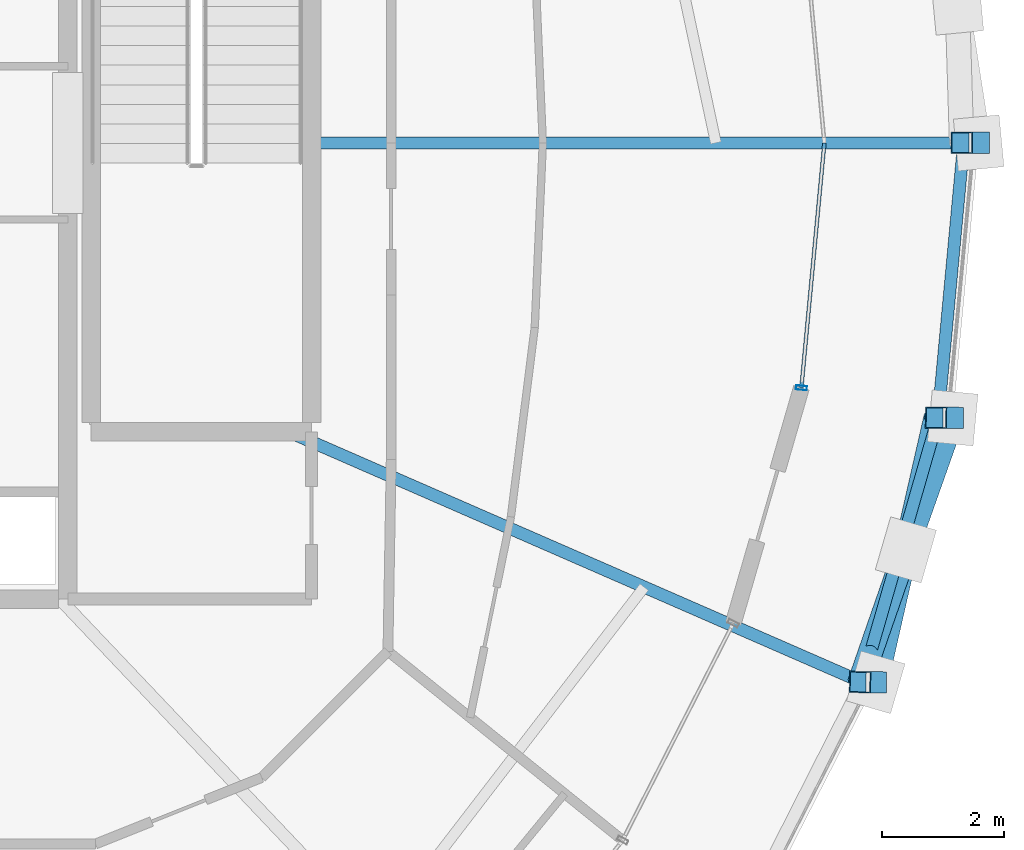
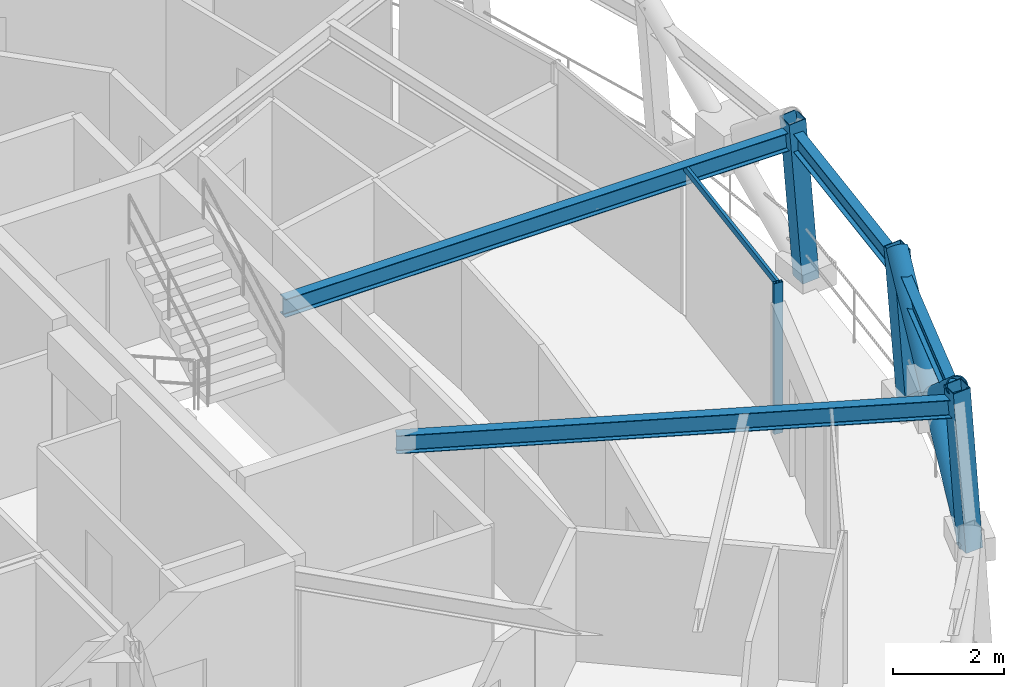
# One storey, part 5 of 15: 8 members, 4 beams, 1 element without a shape of its own.
"""IFC4 building model written with IfcOpenShell, lengths in metres."""

import ifcopenshell
import ifcopenshell.guid

model = None  # the IFC model being written
_history = None  # IfcOwnerHistory: only IFC2X3 demands one
_inside = {}  # id of a spatial element -> (the spatial element, [elements in it])
_under = {}  # id of a project, library or spatial element -> (it, [spatial elements below it])
_declared = {}  # id of a project -> (the project, [libraries it declares])
_typed = {}  # id of a type object -> (the type object, [elements of that type])
_made_of = {}  # id of a material, layer set ... -> (it, [elements and type objects made of it])


def new_model(schema):
    """Start an empty IFC model of exactly this schema.

    Asked for "IFC4X3", IfcOpenShell would pick the latest addendum, in which some entities
    have other attributes; the version numbers below select the first issue.
    IFC2X3 requires an IfcOwnerHistory on every rooted entity: one is made here for all.
    """
    global model, _history
    if schema == "IFC4X3":
        model = ifcopenshell.file(schema_version=(4, 3, 0, 0))
    else:
        model = ifcopenshell.file(schema=schema)
    _inside.clear()
    _under.clear()
    _declared.clear()
    _typed.clear()
    _made_of.clear()
    _history = None
    if model.schema == "IFC2X3":
        org = make("IfcOrganization", Name="unknown")
        user = make(
            "IfcPersonAndOrganization",
            ThePerson=make("IfcPerson", FamilyName="unknown"),
            TheOrganization=org,
        )
        app = make(
            "IfcApplication",
            ApplicationDeveloper=org,
            Version="unknown",
            ApplicationFullName="unknown",
            ApplicationIdentifier="unknown",
        )
        _history = make(
            "IfcOwnerHistory",
            OwningUser=user,
            OwningApplication=app,
            ChangeAction="ADDED",
            CreationDate=0,
        )
    return model


def make(cls, **values):
    """One entity of the class cls with the attributes given. An attribute that is None is left unset."""
    return model.create_entity(
        cls, **{name: value for name, value in values.items() if value is not None}
    )


def rooted(cls, **values):
    """An entity with a GlobalId (a new one), such as an element, a storey or a relation."""
    return make(cls, GlobalId=ifcopenshell.guid.new(), OwnerHistory=_history, **values)


def si_unit(unit_type, name, prefix=None):
    """IfcSIUnit, for example si_unit("LENGTHUNIT", "METRE", prefix="MILLI")."""
    return make("IfcSIUnit", UnitType=unit_type, Prefix=prefix, Name=name)


def assignment(units):
    """IfcUnitAssignment: the units of a project."""
    return None if units is None else make("IfcUnitAssignment", Units=units)


def point(xyz):
    """IfcCartesianPoint."""
    return None if xyz is None else make("IfcCartesianPoint", Coordinates=xyz)


def direction(xyz):
    """IfcDirection."""
    return None if xyz is None else make("IfcDirection", DirectionRatios=xyz)


def frame(location, z_axis=None, x_axis=None):
    """IfcAxis2Placement3D, a coordinate frame: its origin and axes. An axis left out is left unset."""
    return make(
        "IfcAxis2Placement3D",
        Location=point(location),
        Axis=direction(z_axis),
        RefDirection=direction(x_axis),
    )


def frame_2d(location, x_axis=None):
    """IfcAxis2Placement2D, a coordinate frame in the plane: its origin and x axis."""
    return make(
        "IfcAxis2Placement2D", Location=point(location), RefDirection=direction(x_axis)
    )


def origin():
    """The frame at (0, 0, 0) with its axes left unset."""
    return frame((0.0, 0.0, 0.0))


def origin_2d():
    """The frame at (0, 0) in the plane with its x axis left unset."""
    return frame_2d((0.0, 0.0))


def place(relative_to, where):
    """IfcLocalPlacement: puts the frame where relative to a parent placement (None: the world)."""
    return make(
        "IfcLocalPlacement", PlacementRelTo=relative_to, RelativePlacement=where
    )


def context(
    kind, dimensions, precision=None, world=None, true_north=None, identifier=None
):
    """IfcGeometricRepresentationContext, for example the 3D "Model" context."""
    return make(
        "IfcGeometricRepresentationContext",
        ContextIdentifier=identifier,
        ContextType=kind,
        CoordinateSpaceDimension=dimensions,
        Precision=precision,
        WorldCoordinateSystem=world,
        TrueNorth=true_north,
    )


def subcontext(parent, identifier, kind, view, scale=None):
    """IfcGeometricRepresentationSubContext, for example "Body" below "Model"."""
    return make(
        "IfcGeometricRepresentationSubContext",
        ContextIdentifier=identifier,
        ContextType=kind,
        ParentContext=parent,
        TargetScale=scale,
        TargetView=view,
    )


def project(units=None, contexts=None):
    """IfcProject with its units and contexts."""
    return rooted(
        "IfcProject",
        Name="project",
        RepresentationContexts=contexts,
        UnitsInContext=assignment(units),
    )


def spatial(cls, under=None, at=None, **own):
    """A site, building, storey or space (cls), placed at a placement, below another one or the project."""
    s = rooted(cls, ObjectPlacement=at, **own)
    if under is not None:
        _under.setdefault(under.id(), (under, []))[1].append(s)
    return s


def profile(cls, at=None, kind="AREA", **sizes):
    """A parametric profile (cls). Its sizes go by their IFC names, for example OverallWidth=200.0."""
    return make(cls, ProfileType=kind, Position=at, **sizes)


def hollow_rectangle(**sizes):
    """IfcRectangleHollowProfileDef."""
    return profile("IfcRectangleHollowProfileDef", **sizes)


def hollow_circle(**sizes):
    """IfcCircleHollowProfileDef."""
    return profile("IfcCircleHollowProfileDef", **sizes)


def i_section(**sizes):
    """IfcIShapeProfileDef."""
    return profile("IfcIShapeProfileDef", **sizes)


def extrude(swept, where, along, depth):
    """IfcExtrudedAreaSolid: the profile swept, set in the frame where, extruded along a direction by depth."""
    return make(
        "IfcExtrudedAreaSolid",
        SweptArea=swept,
        Position=where,
        ExtrudedDirection=direction(along),
        Depth=depth,
    )


def shape(context_of_items, identifier, shape_type, items):
    """IfcShapeRepresentation: the items that make up one representation, for example the "Body"."""
    return make(
        "IfcShapeRepresentation",
        ContextOfItems=context_of_items,
        RepresentationIdentifier=identifier,
        RepresentationType=shape_type,
        Items=items,
    )


def material(Name=None, Category=None):
    """IfcMaterial."""
    return make("IfcMaterial", Name=Name, Category=Category)


def layer(
    of_material, thickness, ventilated=None, Name=None, Category=None, Priority=None
):
    """IfcMaterialLayer: one layer of a wall or slab, of a material (None: an air gap)."""
    return make(
        "IfcMaterialLayer",
        Material=of_material,
        LayerThickness=thickness,
        IsVentilated=ventilated,
        Name=Name,
        Category=Category,
        Priority=Priority,
    )


def layer_set(layers, Name=None):
    """IfcMaterialLayerSet."""
    return make("IfcMaterialLayerSet", MaterialLayers=layers, LayerSetName=Name)


def material_profile(
    of_material, cross_section, Name=None, Category=None, Priority=None
):
    """IfcMaterialProfile: a cross section and its material."""
    return make(
        "IfcMaterialProfile",
        Name=Name,
        Material=of_material,
        Profile=cross_section,
        Priority=Priority,
        Category=Category,
    )


def profile_set(profiles, Name=None, composite=None):
    """IfcMaterialProfileSet."""
    return make(
        "IfcMaterialProfileSet",
        Name=Name,
        MaterialProfiles=profiles,
        CompositeProfile=composite,
    )


def made_of(thing, what):
    """Note that an element or type object is made of a material, layer set ...; save() writes the relation."""
    if what is not None:
        _made_of.setdefault(what.id(), (what, []))[1].append(thing)
    return thing


def type_object(cls, material=None, **own):
    """A type object (cls), such as IfcWallType, which elements share."""
    return made_of(rooted(cls, **own), material)


def element(
    cls,
    number,
    at=None,
    inside=None,
    cuts=None,
    type_object=None,
    material=None,
    context=None,
    identifier="Body",
    shape_type=None,
    held_by="IfcProductDefinitionShape",
    body=None,
    shapes=None,
    **own,
):
    """One element of the class cls, such as IfcWall. Its Tag is "e" and its number.

    at: its placement. inside: the storey or other place that contains it. cuts: it is an
    opening in that element (IfcRelVoidsElement). A single representation is given by context,
    identifier, shape_type and body (its items); several are given by shapes. held_by: the class
    of the entity that holds the representations. save() writes the other relations.
    """
    e = rooted(cls, Tag="e%d" % number, ObjectPlacement=at, **own)
    if body is not None:
        shapes = [shape(context, identifier, shape_type, body)]
    if shapes is not None:
        e.Representation = make(held_by, Representations=shapes)
    if inside is not None:
        _inside.setdefault(inside.id(), (inside, []))[1].append(e)
    if cuts is not None:
        rooted(
            "IfcRelVoidsElement", RelatingBuildingElement=cuts, RelatedOpeningElement=e
        )
    if type_object is not None:
        _typed.setdefault(type_object.id(), (type_object, []))[1].append(e)
    return made_of(e, material)


def aggregate(whole, parts):
    """IfcRelAggregates: a whole, such as a stair, and the parts it consists of."""
    return rooted("IfcRelAggregates", RelatingObject=whole, RelatedObjects=parts)


def save(model, path):
    """Write the relations noted so far, then the file.

    IfcRelAggregates (storeys below a building ...), IfcRelContainedInSpatialStructure (elements
    in a storey), IfcRelDefinesByType, IfcRelAssociatesMaterial and IfcRelDeclares: one each for
    every whole, place, type object, material and project.
    """
    for whole, parts in _under.values():
        aggregate(whole, parts)
    for where, things in _inside.values():
        rooted(
            "IfcRelContainedInSpatialStructure",
            RelatedElements=things,
            RelatingStructure=where,
        )
    for kind, things in _typed.values():
        rooted("IfcRelDefinesByType", RelatedObjects=things, RelatingType=kind)
    for what, things in _made_of.values():
        rooted("IfcRelAssociatesMaterial", RelatedObjects=things, RelatingMaterial=what)
    for by, libraries in _declared.values():
        rooted("IfcRelDeclares", RelatingContext=by, RelatedDefinitions=libraries)
    model.write(path)


model = new_model("IFC4")

# Units and contexts
model_context = context("Model", 3, precision=1e-05, world=origin(), true_north=direction((0.0, 1.0)))
body_context = subcontext(model_context, "Body", "Model", "MODEL_VIEW")
ifc_project = project(units=[si_unit("LENGTHUNIT", "METRE"), si_unit("AREAUNIT", "SQUARE_METRE"), si_unit("VOLUMEUNIT", "CUBIC_METRE"), si_unit("PLANEANGLEUNIT", "RADIAN"), si_unit("MASSUNIT", "GRAM", prefix="KILO")], contexts=[model_context])

# Site, building, storey
site_placement = place(None, origin())
site = spatial("IfcSite", under=ifc_project, at=site_placement, CompositionType="ELEMENT")
building_placement = place(site_placement, origin())
building = spatial("IfcBuilding", under=site, at=building_placement, Name="Veldorina Hangang Commons", CompositionType="ELEMENT")
storey_placement = place(building_placement, frame((0.0, 0.0, 261.60009765625)))
storey = spatial("IfcBuildingStorey", under=building, at=storey_placement, Name="L68", CompositionType="ELEMENT", Elevation=261.60009765625)

# Beams
ifc_material_1 = material(Name="Steel SM355-TMC", Category="steel")
ifc_material_profile_1 = material_profile(ifc_material_1, i_section(OverallWidth=0.199951171875, OverallDepth=0.39990234375, WebThickness=0.008056640625, FlangeThickness=0.012939453125, FilletRadius=0.012939453125, at=origin_2d()), Name="H-400x200x8x13")
ifc_profile_set_1 = profile_set([ifc_material_profile_1], Name="Steel SM355-TMC")
beam_type_1 = type_object("IfcBeamType", Name="BM-FG400", PredefinedType="BEAM", material=ifc_profile_set_1)
beam_1_placement = place(storey_placement, frame((43.179931640625, 24.0, 3.159912109375), z_axis=(1.0, 0.0, 0.0), x_axis=(0.0, 1.0, 0.0)))
element("IfcBeam", 1, at=beam_1_placement, inside=storey, type_object=beam_type_1, Name="L68 radial floor girder 01", PredefinedType="BEAM", context=body_context, shape_type="SweptSolid", body=[
    extrude(i_section(OverallWidth=0.199951171875, OverallDepth=0.39990234375, WebThickness=0.008056640625, FlangeThickness=0.012939453125, FilletRadius=0.012939453125, at=origin_2d()), origin(), (0.0, 0.0, 1.0), 10.650634765625),
])
beam_2_placement = place(storey_placement, frame((42.810546875, 19.280029296875, 3.159912109375), z_axis=(0.916453946548, -0.400140180257, 0.0), x_axis=(0.400140180257, 0.916453946548, 0.0)))
element("IfcBeam", 2, at=beam_2_placement, inside=storey, type_object=beam_type_1, Name="L68 radial floor girder 16", PredefinedType="BEAM", context=body_context, shape_type="SweptSolid", body=[
    extrude(i_section(OverallWidth=0.199951171875, OverallDepth=0.39990234375, WebThickness=0.008056640625, FlangeThickness=0.012939453125, FilletRadius=0.012939453125, at=origin_2d()), origin(), (0.0, 0.0, 1.0), 10.211181640625),
])
ifc_material_profile_2 = material_profile(ifc_material_1, i_section(OverallWidth=0.199951171875, OverallDepth=0.39990234375, WebThickness=0.008056640625, FlangeThickness=0.012939453125, FilletRadius=0.012939453125, at=origin_2d()), Name="H-400x200x8x13")
ifc_profile_set_2 = profile_set([ifc_material_profile_2], Name="Steel SM355-TMC")
beam_type_2 = type_object("IfcBeamType", Name="BM-RB400", PredefinedType="BEAM", material=ifc_profile_set_2)
beam_3_placement = place(storey_placement, frame((52.168701171875, 15.194091796875, 3.159912109375), z_axis=(0.276543996443, 0.96100125808, 0.0), x_axis=(-0.96100125808, 0.276543996443, 0.0)))
element("IfcBeam", 3, at=beam_3_placement, inside=storey, type_object=beam_type_2, Name="L68 perimeter hoop ring beam 30", PredefinedType="BEAM", context=body_context, shape_type="SweptSolid", body=[
    extrude(i_section(OverallWidth=0.199951171875, OverallDepth=0.39990234375, WebThickness=0.008056640625, FlangeThickness=0.012939453125, FilletRadius=0.012939453125, at=origin_2d()), origin(), (0.0, 0.0, 1.0), 4.491943359375),
])
beam_4_placement = place(storey_placement, frame((53.410888671875, 19.5107421875, 3.159912109375), z_axis=(0.093079037681, 0.995658723029, 0.0), x_axis=(-0.995658723029, 0.093079037681, 0.0)))
element("IfcBeam", 4, at=beam_4_placement, inside=storey, type_object=beam_type_2, Name="L68 perimeter hoop ring beam 31", PredefinedType="BEAM", context=body_context, shape_type="SweptSolid", body=[
    extrude(i_section(OverallWidth=0.199951171875, OverallDepth=0.39990234375, WebThickness=0.008056640625, FlangeThickness=0.012939453125, FilletRadius=0.012939453125, at=origin_2d()), origin(), (0.0, 0.0, 1.0), 4.5087890625),
])

# Curtain wall, members
ifc_material_2 = material(Name="Glass Low-E Selective", Category="glass")
ifc_layer = layer(ifc_material_2, 0.179931640625)
ifc_layer_set = layer_set([ifc_layer], Name="Glass Low-E Selective")
curtain_wall_type = type_object("IfcCurtainWallType", Name="CW-SYS-Z3", PredefinedType="NOTDEFINED", material=ifc_layer_set)
curtain_wall_placement = place(storey_placement, origin())
curtain_wall = element("IfcCurtainWall", 5, at=curtain_wall_placement, inside=storey, type_object=curtain_wall_type, Name="L68 unitised curtain wall CW-L68-R2", PredefinedType="NOTDEFINED")
ifc_material_3 = material(Name="Aluminium Anodized AA6063-T6", Category="aluminium")
ifc_material_profile_3 = material_profile(ifc_material_3, hollow_rectangle(XDim=0.070068359375, YDim=0.179931640625, WallThickness=0.00390625, at=origin_2d()), Name="ALU-RHS-180x70x4")
ifc_profile_set_3 = profile_set([ifc_material_profile_3], Name="Aluminium Anodized AA6063-T6")
member_type_1 = type_object("IfcMemberType", Name="CW-MUL-180", PredefinedType="MULLION", material=ifc_profile_set_3)
member_1_placement = place(storey_placement, frame((51.179443359375, 20.00048828125, 0.0), z_axis=(0.0, 0.0, 1.0), x_axis=(0.093517518421, 0.99561763431, 0.0)))
member_1 = element("IfcMember", 6, at=member_1_placement, type_object=member_type_1, Name="CW-L68-R2 vertical mullion 1", PredefinedType="MULLION", context=body_context, shape_type="SweptSolid", body=[
    extrude(hollow_rectangle(XDim=0.070068359375, YDim=0.179931640625, WallThickness=0.00390625, at=origin_2d()), origin(), (0.0, 0.0, 1.0), 3.31982421875),
])
ifc_material_profile_4 = material_profile(ifc_material_3, hollow_rectangle(XDim=0.06005859375, YDim=0.139892578125, WallThickness=0.00341796875, at=origin_2d()), Name="ALU-RHS-140x60x3.5")
ifc_profile_set_4 = profile_set([ifc_material_profile_4], Name="Aluminium Anodized AA6063-T6")
member_type_2 = type_object("IfcMemberType", Name="CW-TRN-140", PredefinedType="USERDEFINED", material=ifc_profile_set_4)
member_2_placement = place(storey_placement, frame((51.179443359375, 20.00048828125, 3.27978515625), z_axis=(0.093532739513, 0.995616204488, 0.0), x_axis=(-0.995616204488, 0.093532739513, 0.0)))
member_2 = element("IfcMember", 7, at=member_2_placement, type_object=member_type_2, Name="CW-L68-R2 facet 1 transom 1", ObjectType="TRANSOM", PredefinedType="USERDEFINED", context=body_context, shape_type="SweptSolid", body=[
    extrude(hollow_rectangle(XDim=0.06005859375, YDim=0.139892578125, WallThickness=0.00341796875, at=origin_2d()), origin(), (0.0, 0.0, 1.0), 4.01708984375),
])
aggregate(curtain_wall, [member_1, member_2])

# Members
ifc_material_profile_5 = material_profile(ifc_material_1, hollow_circle(Radius=0.199951171875, WallThickness=0.02001953125, at=origin_2d()), Name="CHS-400x20")
ifc_profile_set_5 = profile_set([ifc_material_profile_5], Name="Steel SM355-TMC")
member_type_3 = type_object("IfcMemberType", Name="DG-CHS400", PredefinedType="BRACE", material=ifc_profile_set_5)
member_3_placement = place(storey_placement, frame((52.394775390625, 15.190185546875, 0.0), z_axis=(0.172164053646, 0.756820521966, 0.630541224793), x_axis=(-0.975088456383, 0.221816370516, 0.0)))
element("IfcMember", 8, at=member_3_placement, inside=storey, type_object=member_type_3, Name="L68 continuous perimeter diagrid brace 30", PredefinedType="BRACE", context=body_context, shape_type="SweptSolid", body=[
    extrude(hollow_circle(Radius=0.199951171875, WallThickness=0.02001953125, at=origin_2d()), origin(), (0.0, 0.0, 1.0), 5.709228515625),
])
member_4_placement = place(storey_placement, frame((53.65087890625, 19.5087890625, 0.0), z_axis=(-0.262507530344, -0.740571387903, 0.618582101206), x_axis=(0.942538345158, -0.334097991474, 0.0)))
element("IfcMember", 9, at=member_4_placement, inside=storey, type_object=member_type_3, Name="L68 split perimeter diagrid lower brace 31", PredefinedType="BRACE", context=body_context, shape_type="SweptSolid", body=[
    extrude(hollow_circle(Radius=0.199951171875, WallThickness=0.02001953125, at=origin_2d()), origin(), (0.0, 0.0, 1.0), 2.911865234375),
])
member_5_placement = place(storey_placement, frame((52.886474609375, 17.352294921875, 1.80126953125), z_axis=(-0.257740844455, -0.742149182943, 0.618695601533), x_axis=(0.944653880301, -0.328068661157, 0.0)))
element("IfcMember", 10, at=member_5_placement, inside=storey, type_object=member_type_3, Name="L68 split perimeter diagrid upper brace 31", PredefinedType="BRACE", context=body_context, shape_type="SweptSolid", body=[
    extrude(hollow_circle(Radius=0.199951171875, WallThickness=0.02001953125, at=origin_2d()), origin(), (0.0, 0.0, 1.0), 2.906982421875),
])
ifc_material_profile_6 = material_profile(ifc_material_1, hollow_rectangle(XDim=0.35009765625, YDim=0.35009765625, WallThickness=0.01611328125, at=origin_2d()), Name="SHS-350x350x16")
ifc_profile_set_6 = profile_set([ifc_material_profile_6], Name="Steel SM355-TMC")
member_type_4 = type_object("IfcMemberType", Name="STR-SHS350", PredefinedType="STRUT", material=ifc_profile_set_6)
member_6_placement = place(storey_placement, frame((54.0751953125, 24.0, 0.0), z_axis=(-0.077218731044, 0.0, 0.997014176216), x_axis=(0.0, -1.0, 0.0)))
element("IfcMember", 11, at=member_6_placement, inside=storey, type_object=member_type_4, Name="L68 perimeter ring node post 00", PredefinedType="STRUT", context=body_context, shape_type="SweptSolid", body=[
    extrude(hollow_rectangle(XDim=0.35009765625, YDim=0.35009765625, WallThickness=0.01611328125, at=origin_2d()), origin(), (0.0, 0.0, 1.0), 3.610595703125),
])
member_7_placement = place(storey_placement, frame((52.394775390625, 15.190185546875, 0.0), z_axis=(-0.071367174957, 0.001285285615, 0.997449284114), x_axis=(-0.018006558774, -0.999837868777, 0.0)))
element("IfcMember", 12, at=member_7_placement, inside=storey, type_object=member_type_4, Name="L68 perimeter ring node post 30", PredefinedType="STRUT", context=body_context, shape_type="SweptSolid", body=[
    extrude(hollow_rectangle(XDim=0.35009765625, YDim=0.35009765625, WallThickness=0.01611328125, at=origin_2d()), origin(), (0.0, 0.0, 1.0), 3.609130859375),
])
member_8_placement = place(storey_placement, frame((53.65087890625, 19.5087890625, 0.0), z_axis=(-0.075672520213, 0.000608626168, 0.997132538462), x_axis=(-0.008042635315, -0.999967657486, 0.0)))
element("IfcMember", 13, at=member_8_placement, inside=storey, type_object=member_type_4, Name="L68 perimeter ring node post 31", PredefinedType="STRUT", context=body_context, shape_type="SweptSolid", body=[
    extrude(hollow_rectangle(XDim=0.35009765625, YDim=0.35009765625, WallThickness=0.01611328125, at=origin_2d()), origin(), (0.0, 0.0, 1.0), 3.610107421875),
])

save(model, "model.ifc")
